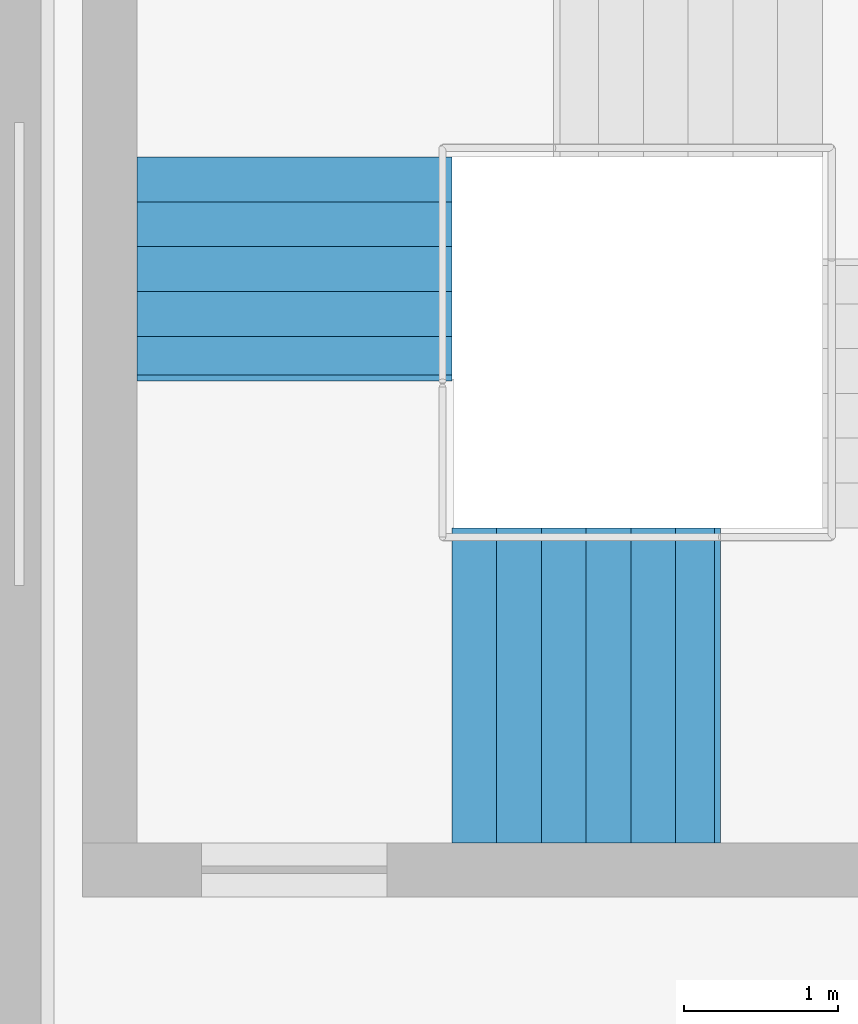
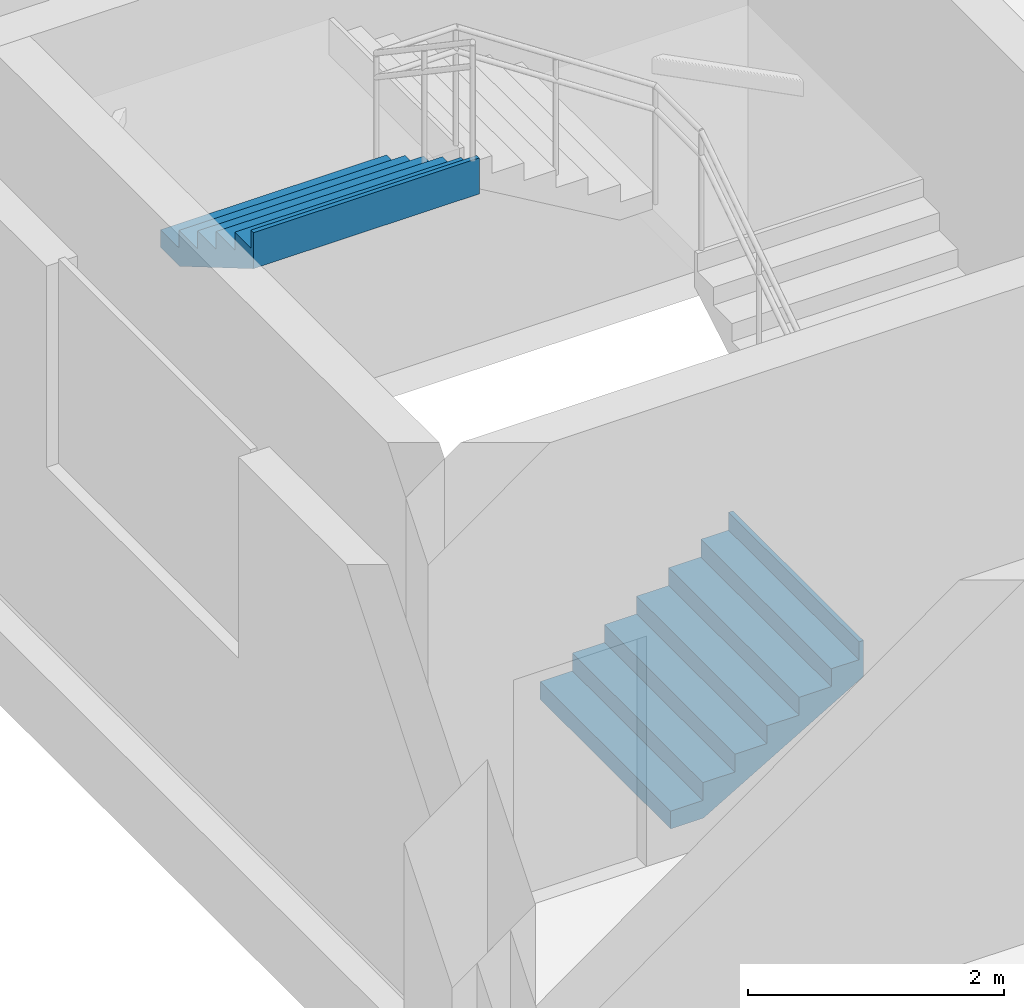
# One storey, part 39 of 49: 2 stair flights, 1 element without a shape of its own.
"""IFC4 building model written with IfcOpenShell, lengths in metres."""

from ifc_helpers import new_model, si_unit, direction, frame, origin, place, context, subcontext, project, spatial, triangles, material, type_object, element, aggregate, save


model = new_model("IFC4")

# Units and contexts
model_context = context("Model", 3, precision=1e-05, world=origin(), true_north=direction((0.0, 1.0)))
body_context = subcontext(model_context, "Body", "Model", "MODEL_VIEW")
ifc_project = project(units=[si_unit("LENGTHUNIT", "METRE"), si_unit("AREAUNIT", "SQUARE_METRE"), si_unit("VOLUMEUNIT", "CUBIC_METRE"), si_unit("PLANEANGLEUNIT", "RADIAN"), si_unit("MASSUNIT", "GRAM", prefix="KILO")], contexts=[model_context])

# Site, building, storey
site_placement = place(None, origin())
site = spatial("IfcSite", under=ifc_project, at=site_placement, CompositionType="ELEMENT")
building_placement = place(site_placement, origin())
building = spatial("IfcBuilding", under=site, at=building_placement, Name="Sillaruma Civic Art Gallery", CompositionType="ELEMENT")
storey_placement = place(building_placement, frame((0.0, 0.0, 33.14990234375)))
storey = spatial("IfcBuildingStorey", under=building, at=storey_placement, Name="L06", CompositionType="ELEMENT", Elevation=33.14990234375)

# Stair, stair flights
ifc_material = material(Name="Concrete H35 (35 MPa)", Category="concrete")
stair_type = type_object("IfcStairType", Name="STR-4F-27", PredefinedType="USERDEFINED", material=ifc_material)
stair_placement = place(storey_placement, origin())
stair = element("IfcStair", 1, at=stair_placement, inside=storey, type_object=stair_type, Name="Protected Exit Stair ST-03 (West Bar South) (L06)", ObjectType="THREE_RETURN_STAIR", PredefinedType="USERDEFINED")
stair_flight_type_1 = type_object("IfcStairFlightType", Name="SFL-STR-6", PredefinedType="STRAIGHT", material=ifc_material)
stair_flight_1_placement = place(storey_placement, frame((63.780029296875, 35.85009765625, 3.570068359375), z_axis=(0.0, 0.0, 1.0), x_axis=(0.0, -1.0, 0.0)))
stair_flight_1 = element("IfcStairFlight", 2, at=stair_flight_1_placement, type_object=stair_flight_type_1, Name="ST-03 flight 4", NumberOfRisers=6, NumberOfTreads=5, PredefinedType="STRAIGHT", RiserHeight=0.17, TreadLength=0.29, context=body_context, shape_type="Tessellation", body=[
    triangles([(0.0, -1.02001953125, 0.0), (0.29, -1.02001953125, 0.0), (0.296365, -1.02001953125, 0.0), (0.58, -1.02001953125, 0.166269), (0.87, -1.02001953125, 0.336269), (1.16, -1.02001953125, 0.506269), (1.409951, -1.02001953125, 0.652792), (1.449951, -1.02001953125, 0.67624), (1.449951, -1.02001953125, 1.02), (1.409951, -1.02001953125, 1.02), (1.409951, -1.02001953125, 0.85), (1.16, -1.02001953125, 0.85), (1.16, -1.02001953125, 0.68), (0.87, -1.02001953125, 0.68), (0.87, -1.02001953125, 0.51), (0.58, -1.02001953125, 0.51), (0.58, -1.02001953125, 0.34), (0.296365, -1.02001953125, 0.34), (0.29, -1.02001953125, 0.34), (0.29, -1.02001953125, 0.17), (0.0, -1.02001953125, 0.17), (0.0, -0.05, 0.0), (0.29, -0.05, 0.0), (0.296365, -0.05, 0.0), (0.58, -0.05, 0.166269), (0.87, -0.05, 0.336269), (1.16, -0.05, 0.506269), (1.409951, -0.05, 0.652792), (1.449951, -0.05, 0.67624), (1.449951, -0.05, 1.02), (1.409951, -0.05, 1.02), (1.409951, -0.05, 0.85), (1.16, -0.05, 0.85), (1.16, -0.05, 0.68), (0.87, -0.05, 0.68), (0.87, -0.05, 0.51), (0.58, -0.05, 0.51), (0.58, -0.05, 0.34), (0.296365, -0.05, 0.34), (0.29, -0.05, 0.34), (0.29, -0.05, 0.17), (0.0, -0.05, 0.17), (0.0, -0.0375, 0.0), (0.29, -0.0375, 0.0), (0.296365, -0.0375, 0.0), (0.58, -0.0375, 0.166269), (0.87, -0.0375, 0.336269), (1.16, -0.0375, 0.506269), (1.409951, -0.0375, 0.652792), (1.449951, -0.0375, 0.67624), (1.449951, -0.0375, 1.02), (1.409951, -0.0375, 1.02), (1.409951, -0.0375, 0.85), (1.16, -0.0375, 0.85), (1.16, -0.0375, 0.68), (0.87, -0.0375, 0.68), (0.87, -0.0375, 0.51), (0.58, -0.0375, 0.51), (0.58, -0.0375, 0.34), (0.296365, -0.0375, 0.34), (0.29, -0.0375, 0.34), (0.29, -0.0375, 0.17), (0.0, -0.0375, 0.17), (0.0, -0.025, 0.0), (0.29, -0.025, 0.0), (0.296365, -0.025, 0.0), (0.58, -0.025, 0.166269), (0.87, -0.025, 0.336269), (1.16, -0.025, 0.506269), (1.409951, -0.025, 0.652792), (1.449951, -0.025, 0.67624), (1.449951, -0.025, 1.02), (1.409951, -0.025, 1.02), (1.409951, -0.025, 0.85), (1.16, -0.025, 0.85), (1.16, -0.025, 0.68), (0.87, -0.025, 0.68), (0.87, -0.025, 0.51), (0.58, -0.025, 0.51), (0.58, -0.025, 0.34), (0.296365, -0.025, 0.34), (0.29, -0.025, 0.34), (0.29, -0.025, 0.17), (0.0, -0.025, 0.17), (0.0, -0.0125, 0.0), (0.29, -0.0125, 0.0), (0.296365, -0.0125, 0.0), (0.58, -0.0125, 0.166269), (0.87, -0.0125, 0.336269), (1.16, -0.0125, 0.506269), (1.409951, -0.0125, 0.652792), (1.449951, -0.0125, 0.67624), (1.449951, -0.0125, 1.02), (1.409951, -0.0125, 1.02), (1.409951, -0.0125, 0.85), (1.16, -0.0125, 0.85), (1.16, -0.0125, 0.68), (0.87, -0.0125, 0.68), (0.87, -0.0125, 0.51), (0.58, -0.0125, 0.51), (0.58, -0.0125, 0.34), (0.296365, -0.0125, 0.34), (0.29, -0.0125, 0.34), (0.29, -0.0125, 0.17), (0.0, -0.0125, 0.17), (0.0, 0.0, 0.0), (0.29, 0.0, 0.0), (0.296365, 0.0, 0.0), (0.58, 0.0, 0.166269), (0.87, 0.0, 0.336269), (1.16, 0.0, 0.506269), (1.409951, 0.0, 0.652792), (1.449951, 0.0, 0.67624), (1.449951, 0.0, 1.02), (1.409951, 0.0, 1.02), (1.409951, 0.0, 0.85), (1.16, 0.0, 0.85), (1.16, 0.0, 0.68), (0.87, 0.0, 0.68), (0.87, 0.0, 0.51), (0.58, 0.0, 0.51), (0.58, 0.0, 0.34), (0.296365, 0.0, 0.34), (0.29, 0.0, 0.34), (0.29, 0.0, 0.17), (0.0, 0.0, 0.17), (0.0, 0.0125, 0.0), (0.29, 0.0125, 0.0), (0.296365, 0.0125, 0.0), (0.58, 0.0125, 0.166269), (0.87, 0.0125, 0.336269), (1.16, 0.0125, 0.506269), (1.409951, 0.0125, 0.652792), (1.449951, 0.0125, 0.67624), (1.449951, 0.0125, 1.02), (1.409951, 0.0125, 1.02), (1.409951, 0.0125, 0.85), (1.16, 0.0125, 0.85), (1.16, 0.0125, 0.68), (0.87, 0.0125, 0.68), (0.87, 0.0125, 0.51), (0.58, 0.0125, 0.51), (0.58, 0.0125, 0.34), (0.296365, 0.0125, 0.34), (0.29, 0.0125, 0.34), (0.29, 0.0125, 0.17), (0.0, 0.0125, 0.17), (0.0, 0.025, 0.0), (0.29, 0.025, 0.0), (0.296365, 0.025, 0.0), (0.58, 0.025, 0.166269), (0.87, 0.025, 0.336269), (1.16, 0.025, 0.506269), (1.409951, 0.025, 0.652792), (1.449951, 0.025, 0.67624), (1.449951, 0.025, 1.02), (1.409951, 0.025, 1.02), (1.409951, 0.025, 0.85), (1.16, 0.025, 0.85), (1.16, 0.025, 0.68), (0.87, 0.025, 0.68), (0.87, 0.025, 0.51), (0.58, 0.025, 0.51), (0.58, 0.025, 0.34), (0.296365, 0.025, 0.34), (0.29, 0.025, 0.34), (0.29, 0.025, 0.17), (0.0, 0.025, 0.17), (0.0, 0.0375, 0.0), (0.29, 0.0375, 0.0), (0.296365, 0.0375, 0.0), (0.58, 0.0375, 0.166269), (0.87, 0.0375, 0.336269), (1.16, 0.0375, 0.506269), (1.409951, 0.0375, 0.652792), (1.449951, 0.0375, 0.67624), (1.449951, 0.0375, 1.02), (1.409951, 0.0375, 1.02), (1.409951, 0.0375, 0.85), (1.16, 0.0375, 0.85), (1.16, 0.0375, 0.68), (0.87, 0.0375, 0.68), (0.87, 0.0375, 0.51), (0.58, 0.0375, 0.51), (0.58, 0.0375, 0.34), (0.296365, 0.0375, 0.34), (0.29, 0.0375, 0.34), (0.29, 0.0375, 0.17), (0.0, 0.0375, 0.17), (0.0, 0.05, 0.0), (0.29, 0.05, 0.0), (0.296365, 0.05, 0.0), (0.58, 0.05, 0.166269), (0.87, 0.05, 0.336269), (1.16, 0.05, 0.506269), (1.409951, 0.05, 0.652792), (1.449951, 0.05, 0.67624), (1.449951, 0.05, 1.02), (1.409951, 0.05, 1.02), (1.409951, 0.05, 0.85), (1.16, 0.05, 0.85), (1.16, 0.05, 0.68), (0.87, 0.05, 0.68), (0.87, 0.05, 0.51), (0.58, 0.05, 0.51), (0.58, 0.05, 0.34), (0.296365, 0.05, 0.34), (0.29, 0.05, 0.34), (0.29, 0.05, 0.17), (0.0, 0.05, 0.17), (0.0, 1.02001953125, 0.0), (0.29, 1.02001953125, 0.0), (0.296365, 1.02001953125, 0.0), (0.58, 1.02001953125, 0.166269), (0.87, 1.02001953125, 0.336269), (1.16, 1.02001953125, 0.506269), (1.409951, 1.02001953125, 0.652792), (1.449951, 1.02001953125, 0.67624), (1.449951, 1.02001953125, 1.02), (1.409951, 1.02001953125, 1.02), (1.409951, 1.02001953125, 0.85), (1.16, 1.02001953125, 0.85), (1.16, 1.02001953125, 0.68), (0.87, 1.02001953125, 0.68), (0.87, 1.02001953125, 0.51), (0.58, 1.02001953125, 0.51), (0.58, 1.02001953125, 0.34), (0.296365, 1.02001953125, 0.34), (0.29, 1.02001953125, 0.34), (0.29, 1.02001953125, 0.17), (0.0, 1.02001953125, 0.17)], [[1, 2, 20], [1, 20, 21], [2, 3, 18], [2, 18, 20], [20, 18, 19], [3, 4, 17], [3, 17, 18], [4, 5, 15], [4, 15, 17], [17, 15, 16], [5, 6, 13], [5, 13, 15], [15, 13, 14], [6, 7, 11], [6, 11, 13], [13, 11, 12], [7, 8, 9], [7, 9, 11], [11, 9, 10], [230, 212, 211], [231, 230, 211], [228, 213, 212], [230, 228, 212], [229, 228, 230], [227, 214, 213], [228, 227, 213], [225, 215, 214], [227, 225, 214], [226, 225, 227], [223, 216, 215], [225, 223, 215], [224, 223, 225], [221, 217, 216], [223, 221, 216], [222, 221, 223], [219, 218, 217], [221, 219, 217], [220, 219, 221], [2, 1, 22], [2, 22, 23], [3, 2, 23], [3, 23, 24], [4, 3, 24], [4, 24, 25], [5, 4, 25], [5, 25, 26], [6, 5, 26], [6, 26, 27], [7, 6, 27], [7, 27, 28], [8, 7, 28], [8, 28, 29], [9, 8, 29], [9, 29, 30], [10, 9, 30], [10, 30, 31], [11, 10, 31], [11, 31, 32], [12, 11, 32], [12, 32, 33], [13, 12, 33], [13, 33, 34], [14, 13, 34], [14, 34, 35], [15, 14, 35], [15, 35, 36], [16, 15, 36], [16, 36, 37], [17, 16, 37], [17, 37, 38], [18, 17, 38], [18, 38, 39], [19, 18, 39], [19, 39, 40], [20, 19, 40], [20, 40, 41], [21, 20, 41], [21, 41, 42], [1, 21, 42], [1, 42, 22], [23, 22, 43], [23, 43, 44], [24, 23, 44], [24, 44, 45], [25, 24, 45], [25, 45, 46], [26, 25, 46], [26, 46, 47], [27, 26, 47], [27, 47, 48], [28, 27, 48], [28, 48, 49], [29, 28, 49], [29, 49, 50], [30, 29, 50], [30, 50, 51], [31, 30, 51], [31, 51, 52], [32, 31, 52], [32, 52, 53], [33, 32, 53], [33, 53, 54], [34, 33, 54], [34, 54, 55], [35, 34, 55], [35, 55, 56], [36, 35, 56], [36, 56, 57], [37, 36, 57], [37, 57, 58], [38, 37, 58], [38, 58, 59], [39, 38, 59], [39, 59, 60], [40, 39, 60], [40, 60, 61], [41, 40, 61], [41, 61, 62], [42, 41, 62], [42, 62, 63], [22, 42, 63], [22, 63, 43], [44, 43, 64], [44, 64, 65], [45, 44, 65], [45, 65, 66], [46, 45, 66], [46, 66, 67], [47, 46, 67], [47, 67, 68], [48, 47, 68], [48, 68, 69], [49, 48, 69], [49, 69, 70], [50, 49, 70], [50, 70, 71], [51, 50, 71], [51, 71, 72], [52, 51, 72], [52, 72, 73], [53, 52, 73], [53, 73, 74], [54, 53, 74], [54, 74, 75], [55, 54, 75], [55, 75, 76], [56, 55, 76], [56, 76, 77], [57, 56, 77], [57, 77, 78], [58, 57, 78], [58, 78, 79], [59, 58, 79], [59, 79, 80], [60, 59, 80], [60, 80, 81], [61, 60, 81], [61, 81, 82], [62, 61, 82], [62, 82, 83], [63, 62, 83], [63, 83, 84], [43, 63, 84], [43, 84, 64], [65, 64, 85], [65, 85, 86], [66, 65, 86], [66, 86, 87], [67, 66, 87], [67, 87, 88], [68, 67, 88], [68, 88, 89], [69, 68, 89], [69, 89, 90], [70, 69, 90], [70, 90, 91], [71, 70, 91], [71, 91, 92], [72, 71, 92], [72, 92, 93], [73, 72, 93], [73, 93, 94], [74, 73, 94], [74, 94, 95], [75, 74, 95], [75, 95, 96], [76, 75, 96], [76, 96, 97], [77, 76, 97], [77, 97, 98], [78, 77, 98], [78, 98, 99], [79, 78, 99], [79, 99, 100], [80, 79, 100], [80, 100, 101], [81, 80, 101], [81, 101, 102], [82, 81, 102], [82, 102, 103], [83, 82, 103], [83, 103, 104], [84, 83, 104], [84, 104, 105], [64, 84, 105], [64, 105, 85], [86, 85, 106], [86, 106, 107], [87, 86, 107], [87, 107, 108], [88, 87, 108], [88, 108, 109], [89, 88, 109], [89, 109, 110], [90, 89, 110], [90, 110, 111], [91, 90, 111], [91, 111, 112], [92, 91, 112], [92, 112, 113], [93, 92, 113], [93, 113, 114], [94, 93, 114], [94, 114, 115], [95, 94, 115], [95, 115, 116], [96, 95, 116], [96, 116, 117], [97, 96, 117], [97, 117, 118], [98, 97, 118], [98, 118, 119], [99, 98, 119], [99, 119, 120], [100, 99, 120], [100, 120, 121], [101, 100, 121], [101, 121, 122], [102, 101, 122], [102, 122, 123], [103, 102, 123], [103, 123, 124], [104, 103, 124], [104, 124, 125], [105, 104, 125], [105, 125, 126], [85, 105, 126], [85, 126, 106], [107, 106, 127], [107, 127, 128], [108, 107, 128], [108, 128, 129], [109, 108, 129], [109, 129, 130], [110, 109, 130], [110, 130, 131], [111, 110, 131], [111, 131, 132], [112, 111, 132], [112, 132, 133], [113, 112, 133], [113, 133, 134], [114, 113, 134], [114, 134, 135], [115, 114, 135], [115, 135, 136], [116, 115, 136], [116, 136, 137], [117, 116, 137], [117, 137, 138], [118, 117, 138], [118, 138, 139], [119, 118, 139], [119, 139, 140], [120, 119, 140], [120, 140, 141], [121, 120, 141], [121, 141, 142], [122, 121, 142], [122, 142, 143], [123, 122, 143], [123, 143, 144], [124, 123, 144], [124, 144, 145], [125, 124, 145], [125, 145, 146], [126, 125, 146], [126, 146, 147], [106, 126, 147], [106, 147, 127], [128, 127, 148], [128, 148, 149], [129, 128, 149], [129, 149, 150], [130, 129, 150], [130, 150, 151], [131, 130, 151], [131, 151, 152], [132, 131, 152], [132, 152, 153], [133, 132, 153], [133, 153, 154], [134, 133, 154], [134, 154, 155], [135, 134, 155], [135, 155, 156], [136, 135, 156], [136, 156, 157], [137, 136, 157], [137, 157, 158], [138, 137, 158], [138, 158, 159], [139, 138, 159], [139, 159, 160], [140, 139, 160], [140, 160, 161], [141, 140, 161], [141, 161, 162], [142, 141, 162], [142, 162, 163], [143, 142, 163], [143, 163, 164], [144, 143, 164], [144, 164, 165], [145, 144, 165], [145, 165, 166], [146, 145, 166], [146, 166, 167], [147, 146, 167], [147, 167, 168], [127, 147, 168], [127, 168, 148], [149, 148, 169], [149, 169, 170], [150, 149, 170], [150, 170, 171], [151, 150, 171], [151, 171, 172], [152, 151, 172], [152, 172, 173], [153, 152, 173], [153, 173, 174], [154, 153, 174], [154, 174, 175], [155, 154, 175], [155, 175, 176], [156, 155, 176], [156, 176, 177], [157, 156, 177], [157, 177, 178], [158, 157, 178], [158, 178, 179], [159, 158, 179], [159, 179, 180], [160, 159, 180], [160, 180, 181], [161, 160, 181], [161, 181, 182], [162, 161, 182], [162, 182, 183], [163, 162, 183], [163, 183, 184], [164, 163, 184], [164, 184, 185], [165, 164, 185], [165, 185, 186], [166, 165, 186], [166, 186, 187], [167, 166, 187], [167, 187, 188], [168, 167, 188], [168, 188, 189], [148, 168, 189], [148, 189, 169], [170, 169, 190], [170, 190, 191], [171, 170, 191], [171, 191, 192], [172, 171, 192], [172, 192, 193], [173, 172, 193], [173, 193, 194], [174, 173, 194], [174, 194, 195], [175, 174, 195], [175, 195, 196], [176, 175, 196], [176, 196, 197], [177, 176, 197], [177, 197, 198], [178, 177, 198], [178, 198, 199], [179, 178, 199], [179, 199, 200], [180, 179, 200], [180, 200, 201], [181, 180, 201], [181, 201, 202], [182, 181, 202], [182, 202, 203], [183, 182, 203], [183, 203, 204], [184, 183, 204], [184, 204, 205], [185, 184, 205], [185, 205, 206], [186, 185, 206], [186, 206, 207], [187, 186, 207], [187, 207, 208], [188, 187, 208], [188, 208, 209], [189, 188, 209], [189, 209, 210], [169, 189, 210], [169, 210, 190], [191, 190, 211], [191, 211, 212], [192, 191, 212], [192, 212, 213], [193, 192, 213], [193, 213, 214], [194, 193, 214], [194, 214, 215], [195, 194, 215], [195, 215, 216], [196, 195, 216], [196, 216, 217], [197, 196, 217], [197, 217, 218], [198, 197, 218], [198, 218, 219], [199, 198, 219], [199, 219, 220], [200, 199, 220], [200, 220, 221], [201, 200, 221], [201, 221, 222], [202, 201, 222], [202, 222, 223], [203, 202, 223], [203, 223, 224], [204, 203, 224], [204, 224, 225], [205, 204, 225], [205, 225, 226], [206, 205, 226], [206, 226, 227], [207, 206, 227], [207, 227, 228], [208, 207, 228], [208, 228, 229], [209, 208, 229], [209, 229, 230], [210, 209, 230], [210, 230, 231], [190, 210, 231], [190, 231, 211]], closed=True),
])
stair_flight_type_2 = type_object("IfcStairFlightType", Name="SFL-STR-7", PredefinedType="STRAIGHT", material=ifc_material)
stair_flight_2_placement = place(storey_placement, frame((64.800048828125, 32.429931640625, 0.0), z_axis=(0.0, 0.0, 1.0), x_axis=(1.0, 0.0, 0.0)))
stair_flight_2 = element("IfcStairFlight", 3, at=stair_flight_2_placement, type_object=stair_flight_type_2, Name="ST-03 flight 1", NumberOfRisers=7, NumberOfTreads=6, PredefinedType="STRAIGHT", RiserHeight=0.17, TreadLength=0.29, context=body_context, shape_type="Tessellation", body=[
    triangles([(0.0, -1.02001953125, 0.0), (0.29, -1.02001953125, 0.0), (0.296404, -1.02001953125, 0.0), (0.58, -1.02001953125, 0.166246), (0.87, -1.02001953125, 0.336246), (1.16, -1.02001953125, 0.506246), (1.45, -1.02001953125, 0.676246), (1.69999, -1.02001953125, 0.822792), (1.73999, -1.02001953125, 0.84624), (1.73999, -1.02001953125, 1.19), (1.69999, -1.02001953125, 1.19), (1.69999, -1.02001953125, 1.02), (1.45, -1.02001953125, 1.02), (1.45, -1.02001953125, 0.85), (1.16, -1.02001953125, 0.85), (1.16, -1.02001953125, 0.68), (0.87, -1.02001953125, 0.68), (0.87, -1.02001953125, 0.51), (0.58, -1.02001953125, 0.51), (0.58, -1.02001953125, 0.34), (0.296404, -1.02001953125, 0.34), (0.29, -1.02001953125, 0.34), (0.29, -1.02001953125, 0.17), (0.0, -1.02001953125, 0.17), (0.0, -0.05, 0.0), (0.29, -0.05, 0.0), (0.296404, -0.05, 0.0), (0.58, -0.05, 0.166246), (0.87, -0.05, 0.336246), (1.16, -0.05, 0.506246), (1.45, -0.05, 0.676246), (1.69999, -0.05, 0.822792), (1.73999, -0.05, 0.84624), (1.73999, -0.05, 1.19), (1.69999, -0.05, 1.19), (1.69999, -0.05, 1.02), (1.45, -0.05, 1.02), (1.45, -0.05, 0.85), (1.16, -0.05, 0.85), (1.16, -0.05, 0.68), (0.87, -0.05, 0.68), (0.87, -0.05, 0.51), (0.58, -0.05, 0.51), (0.58, -0.05, 0.34), (0.296404, -0.05, 0.34), (0.29, -0.05, 0.34), (0.29, -0.05, 0.17), (0.0, -0.05, 0.17), (0.0, -0.0375, 0.0), (0.29, -0.0375, 0.0), (0.296404, -0.0375, 0.0), (0.58, -0.0375, 0.166246), (0.87, -0.0375, 0.336246), (1.16, -0.0375, 0.506246), (1.45, -0.0375, 0.676246), (1.69999, -0.0375, 0.822792), (1.73999, -0.0375, 0.84624), (1.73999, -0.0375, 1.19), (1.69999, -0.0375, 1.19), (1.69999, -0.0375, 1.02), (1.45, -0.0375, 1.02), (1.45, -0.0375, 0.85), (1.16, -0.0375, 0.85), (1.16, -0.0375, 0.68), (0.87, -0.0375, 0.68), (0.87, -0.0375, 0.51), (0.58, -0.0375, 0.51), (0.58, -0.0375, 0.34), (0.296404, -0.0375, 0.34), (0.29, -0.0375, 0.34), (0.29, -0.0375, 0.17), (0.0, -0.0375, 0.17), (0.0, -0.025, 0.0), (0.29, -0.025, 0.0), (0.296404, -0.025, 0.0), (0.58, -0.025, 0.166246), (0.87, -0.025, 0.336246), (1.16, -0.025, 0.506246), (1.45, -0.025, 0.676246), (1.69999, -0.025, 0.822792), (1.73999, -0.025, 0.84624), (1.73999, -0.025, 1.19), (1.69999, -0.025, 1.19), (1.69999, -0.025, 1.02), (1.45, -0.025, 1.02), (1.45, -0.025, 0.85), (1.16, -0.025, 0.85), (1.16, -0.025, 0.68), (0.87, -0.025, 0.68), (0.87, -0.025, 0.51), (0.58, -0.025, 0.51), (0.58, -0.025, 0.34), (0.296404, -0.025, 0.34), (0.29, -0.025, 0.34), (0.29, -0.025, 0.17), (0.0, -0.025, 0.17), (0.0, -0.0125, 0.0), (0.29, -0.0125, 0.0), (0.296404, -0.0125, 0.0), (0.58, -0.0125, 0.166246), (0.87, -0.0125, 0.336246), (1.16, -0.0125, 0.506246), (1.45, -0.0125, 0.676246), (1.69999, -0.0125, 0.822792), (1.73999, -0.0125, 0.84624), (1.73999, -0.0125, 1.19), (1.69999, -0.0125, 1.19), (1.69999, -0.0125, 1.02), (1.45, -0.0125, 1.02), (1.45, -0.0125, 0.85), (1.16, -0.0125, 0.85), (1.16, -0.0125, 0.68), (0.87, -0.0125, 0.68), (0.87, -0.0125, 0.51), (0.58, -0.0125, 0.51), (0.58, -0.0125, 0.34), (0.296404, -0.0125, 0.34), (0.29, -0.0125, 0.34), (0.29, -0.0125, 0.17), (0.0, -0.0125, 0.17), (0.0, 0.0, 0.0), (0.29, 0.0, 0.0), (0.296404, 0.0, 0.0), (0.58, 0.0, 0.166246), (0.87, 0.0, 0.336246), (1.16, 0.0, 0.506246), (1.45, 0.0, 0.676246), (1.69999, 0.0, 0.822792), (1.73999, 0.0, 0.84624), (1.73999, 0.0, 1.19), (1.69999, 0.0, 1.19), (1.69999, 0.0, 1.02), (1.45, 0.0, 1.02), (1.45, 0.0, 0.85), (1.16, 0.0, 0.85), (1.16, 0.0, 0.68), (0.87, 0.0, 0.68), (0.87, 0.0, 0.51), (0.58, 0.0, 0.51), (0.58, 0.0, 0.34), (0.296404, 0.0, 0.34), (0.29, 0.0, 0.34), (0.29, 0.0, 0.17), (0.0, 0.0, 0.17), (0.0, 0.0125, 0.0), (0.29, 0.0125, 0.0), (0.296404, 0.0125, 0.0), (0.58, 0.0125, 0.166246), (0.87, 0.0125, 0.336246), (1.16, 0.0125, 0.506246), (1.45, 0.0125, 0.676246), (1.69999, 0.0125, 0.822792), (1.73999, 0.0125, 0.84624), (1.73999, 0.0125, 1.19), (1.69999, 0.0125, 1.19), (1.69999, 0.0125, 1.02), (1.45, 0.0125, 1.02), (1.45, 0.0125, 0.85), (1.16, 0.0125, 0.85), (1.16, 0.0125, 0.68), (0.87, 0.0125, 0.68), (0.87, 0.0125, 0.51), (0.58, 0.0125, 0.51), (0.58, 0.0125, 0.34), (0.296404, 0.0125, 0.34), (0.29, 0.0125, 0.34), (0.29, 0.0125, 0.17), (0.0, 0.0125, 0.17), (0.0, 0.025, 0.0), (0.29, 0.025, 0.0), (0.296404, 0.025, 0.0), (0.58, 0.025, 0.166246), (0.87, 0.025, 0.336246), (1.16, 0.025, 0.506246), (1.45, 0.025, 0.676246), (1.69999, 0.025, 0.822792), (1.73999, 0.025, 0.84624), (1.73999, 0.025, 1.19), (1.69999, 0.025, 1.19), (1.69999, 0.025, 1.02), (1.45, 0.025, 1.02), (1.45, 0.025, 0.85), (1.16, 0.025, 0.85), (1.16, 0.025, 0.68), (0.87, 0.025, 0.68), (0.87, 0.025, 0.51), (0.58, 0.025, 0.51), (0.58, 0.025, 0.34), (0.296404, 0.025, 0.34), (0.29, 0.025, 0.34), (0.29, 0.025, 0.17), (0.0, 0.025, 0.17), (0.0, 0.0375, 0.0), (0.29, 0.0375, 0.0), (0.296404, 0.0375, 0.0), (0.58, 0.0375, 0.166246), (0.87, 0.0375, 0.336246), (1.16, 0.0375, 0.506246), (1.45, 0.0375, 0.676246), (1.69999, 0.0375, 0.822792), (1.73999, 0.0375, 0.84624), (1.73999, 0.0375, 1.19), (1.69999, 0.0375, 1.19), (1.69999, 0.0375, 1.02), (1.45, 0.0375, 1.02), (1.45, 0.0375, 0.85), (1.16, 0.0375, 0.85), (1.16, 0.0375, 0.68), (0.87, 0.0375, 0.68), (0.87, 0.0375, 0.51), (0.58, 0.0375, 0.51), (0.58, 0.0375, 0.34), (0.296404, 0.0375, 0.34), (0.29, 0.0375, 0.34), (0.29, 0.0375, 0.17), (0.0, 0.0375, 0.17), (0.0, 0.05, 0.0), (0.29, 0.05, 0.0), (0.296404, 0.05, 0.0), (0.58, 0.05, 0.166246), (0.87, 0.05, 0.336246), (1.16, 0.05, 0.506246), (1.45, 0.05, 0.676246), (1.69999, 0.05, 0.822792), (1.73999, 0.05, 0.84624), (1.73999, 0.05, 1.19), (1.69999, 0.05, 1.19), (1.69999, 0.05, 1.02), (1.45, 0.05, 1.02), (1.45, 0.05, 0.85), (1.16, 0.05, 0.85), (1.16, 0.05, 0.68), (0.87, 0.05, 0.68), (0.87, 0.05, 0.51), (0.58, 0.05, 0.51), (0.58, 0.05, 0.34), (0.296404, 0.05, 0.34), (0.29, 0.05, 0.34), (0.29, 0.05, 0.17), (0.0, 0.05, 0.17), (0.0, 1.02001953125, 0.0), (0.29, 1.02001953125, 0.0), (0.296404, 1.02001953125, 0.0), (0.58, 1.02001953125, 0.166246), (0.87, 1.02001953125, 0.336246), (1.16, 1.02001953125, 0.506246), (1.45, 1.02001953125, 0.676246), (1.69999, 1.02001953125, 0.822792), (1.73999, 1.02001953125, 0.84624), (1.73999, 1.02001953125, 1.19), (1.69999, 1.02001953125, 1.19), (1.69999, 1.02001953125, 1.02), (1.45, 1.02001953125, 1.02), (1.45, 1.02001953125, 0.85), (1.16, 1.02001953125, 0.85), (1.16, 1.02001953125, 0.68), (0.87, 1.02001953125, 0.68), (0.87, 1.02001953125, 0.51), (0.58, 1.02001953125, 0.51), (0.58, 1.02001953125, 0.34), (0.296404, 1.02001953125, 0.34), (0.29, 1.02001953125, 0.34), (0.29, 1.02001953125, 0.17), (0.0, 1.02001953125, 0.17)], [[1, 2, 23], [1, 23, 24], [2, 3, 21], [2, 21, 23], [23, 21, 22], [3, 4, 20], [3, 20, 21], [4, 5, 18], [4, 18, 20], [20, 18, 19], [5, 6, 16], [5, 16, 18], [18, 16, 17], [6, 7, 14], [6, 14, 16], [16, 14, 15], [7, 8, 12], [7, 12, 14], [14, 12, 13], [8, 9, 10], [8, 10, 12], [12, 10, 11], [263, 242, 241], [264, 263, 241], [261, 243, 242], [263, 261, 242], [262, 261, 263], [260, 244, 243], [261, 260, 243], [258, 245, 244], [260, 258, 244], [259, 258, 260], [256, 246, 245], [258, 256, 245], [257, 256, 258], [254, 247, 246], [256, 254, 246], [255, 254, 256], [252, 248, 247], [254, 252, 247], [253, 252, 254], [250, 249, 248], [252, 250, 248], [251, 250, 252], [2, 1, 25], [2, 25, 26], [3, 2, 26], [3, 26, 27], [4, 3, 27], [4, 27, 28], [5, 4, 28], [5, 28, 29], [6, 5, 29], [6, 29, 30], [7, 6, 30], [7, 30, 31], [8, 7, 31], [8, 31, 32], [9, 8, 32], [9, 32, 33], [10, 9, 33], [10, 33, 34], [11, 10, 34], [11, 34, 35], [12, 11, 35], [12, 35, 36], [13, 12, 36], [13, 36, 37], [14, 13, 37], [14, 37, 38], [15, 14, 38], [15, 38, 39], [16, 15, 39], [16, 39, 40], [17, 16, 40], [17, 40, 41], [18, 17, 41], [18, 41, 42], [19, 18, 42], [19, 42, 43], [20, 19, 43], [20, 43, 44], [21, 20, 44], [21, 44, 45], [22, 21, 45], [22, 45, 46], [23, 22, 46], [23, 46, 47], [24, 23, 47], [24, 47, 48], [1, 24, 48], [1, 48, 25], [26, 25, 49], [26, 49, 50], [27, 26, 50], [27, 50, 51], [28, 27, 51], [28, 51, 52], [29, 28, 52], [29, 52, 53], [30, 29, 53], [30, 53, 54], [31, 30, 54], [31, 54, 55], [32, 31, 55], [32, 55, 56], [33, 32, 56], [33, 56, 57], [34, 33, 57], [34, 57, 58], [35, 34, 58], [35, 58, 59], [36, 35, 59], [36, 59, 60], [37, 36, 60], [37, 60, 61], [38, 37, 61], [38, 61, 62], [39, 38, 62], [39, 62, 63], [40, 39, 63], [40, 63, 64], [41, 40, 64], [41, 64, 65], [42, 41, 65], [42, 65, 66], [43, 42, 66], [43, 66, 67], [44, 43, 67], [44, 67, 68], [45, 44, 68], [45, 68, 69], [46, 45, 69], [46, 69, 70], [47, 46, 70], [47, 70, 71], [48, 47, 71], [48, 71, 72], [25, 48, 72], [25, 72, 49], [50, 49, 73], [50, 73, 74], [51, 50, 74], [51, 74, 75], [52, 51, 75], [52, 75, 76], [53, 52, 76], [53, 76, 77], [54, 53, 77], [54, 77, 78], [55, 54, 78], [55, 78, 79], [56, 55, 79], [56, 79, 80], [57, 56, 80], [57, 80, 81], [58, 57, 81], [58, 81, 82], [59, 58, 82], [59, 82, 83], [60, 59, 83], [60, 83, 84], [61, 60, 84], [61, 84, 85], [62, 61, 85], [62, 85, 86], [63, 62, 86], [63, 86, 87], [64, 63, 87], [64, 87, 88], [65, 64, 88], [65, 88, 89], [66, 65, 89], [66, 89, 90], [67, 66, 90], [67, 90, 91], [68, 67, 91], [68, 91, 92], [69, 68, 92], [69, 92, 93], [70, 69, 93], [70, 93, 94], [71, 70, 94], [71, 94, 95], [72, 71, 95], [72, 95, 96], [49, 72, 96], [49, 96, 73], [74, 73, 97], [74, 97, 98], [75, 74, 98], [75, 98, 99], [76, 75, 99], [76, 99, 100], [77, 76, 100], [77, 100, 101], [78, 77, 101], [78, 101, 102], [79, 78, 102], [79, 102, 103], [80, 79, 103], [80, 103, 104], [81, 80, 104], [81, 104, 105], [82, 81, 105], [82, 105, 106], [83, 82, 106], [83, 106, 107], [84, 83, 107], [84, 107, 108], [85, 84, 108], [85, 108, 109], [86, 85, 109], [86, 109, 110], [87, 86, 110], [87, 110, 111], [88, 87, 111], [88, 111, 112], [89, 88, 112], [89, 112, 113], [90, 89, 113], [90, 113, 114], [91, 90, 114], [91, 114, 115], [92, 91, 115], [92, 115, 116], [93, 92, 116], [93, 116, 117], [94, 93, 117], [94, 117, 118], [95, 94, 118], [95, 118, 119], [96, 95, 119], [96, 119, 120], [73, 96, 120], [73, 120, 97], [98, 97, 121], [98, 121, 122], [99, 98, 122], [99, 122, 123], [100, 99, 123], [100, 123, 124], [101, 100, 124], [101, 124, 125], [102, 101, 125], [102, 125, 126], [103, 102, 126], [103, 126, 127], [104, 103, 127], [104, 127, 128], [105, 104, 128], [105, 128, 129], [106, 105, 129], [106, 129, 130], [107, 106, 130], [107, 130, 131], [108, 107, 131], [108, 131, 132], [109, 108, 132], [109, 132, 133], [110, 109, 133], [110, 133, 134], [111, 110, 134], [111, 134, 135], [112, 111, 135], [112, 135, 136], [113, 112, 136], [113, 136, 137], [114, 113, 137], [114, 137, 138], [115, 114, 138], [115, 138, 139], [116, 115, 139], [116, 139, 140], [117, 116, 140], [117, 140, 141], [118, 117, 141], [118, 141, 142], [119, 118, 142], [119, 142, 143], [120, 119, 143], [120, 143, 144], [97, 120, 144], [97, 144, 121], [122, 121, 145], [122, 145, 146], [123, 122, 146], [123, 146, 147], [124, 123, 147], [124, 147, 148], [125, 124, 148], [125, 148, 149], [126, 125, 149], [126, 149, 150], [127, 126, 150], [127, 150, 151], [128, 127, 151], [128, 151, 152], [129, 128, 152], [129, 152, 153], [130, 129, 153], [130, 153, 154], [131, 130, 154], [131, 154, 155], [132, 131, 155], [132, 155, 156], [133, 132, 156], [133, 156, 157], [134, 133, 157], [134, 157, 158], [135, 134, 158], [135, 158, 159], [136, 135, 159], [136, 159, 160], [137, 136, 160], [137, 160, 161], [138, 137, 161], [138, 161, 162], [139, 138, 162], [139, 162, 163], [140, 139, 163], [140, 163, 164], [141, 140, 164], [141, 164, 165], [142, 141, 165], [142, 165, 166], [143, 142, 166], [143, 166, 167], [144, 143, 167], [144, 167, 168], [121, 144, 168], [121, 168, 145], [146, 145, 169], [146, 169, 170], [147, 146, 170], [147, 170, 171], [148, 147, 171], [148, 171, 172], [149, 148, 172], [149, 172, 173], [150, 149, 173], [150, 173, 174], [151, 150, 174], [151, 174, 175], [152, 151, 175], [152, 175, 176], [153, 152, 176], [153, 176, 177], [154, 153, 177], [154, 177, 178], [155, 154, 178], [155, 178, 179], [156, 155, 179], [156, 179, 180], [157, 156, 180], [157, 180, 181], [158, 157, 181], [158, 181, 182], [159, 158, 182], [159, 182, 183], [160, 159, 183], [160, 183, 184], [161, 160, 184], [161, 184, 185], [162, 161, 185], [162, 185, 186], [163, 162, 186], [163, 186, 187], [164, 163, 187], [164, 187, 188], [165, 164, 188], [165, 188, 189], [166, 165, 189], [166, 189, 190], [167, 166, 190], [167, 190, 191], [168, 167, 191], [168, 191, 192], [145, 168, 192], [145, 192, 169], [170, 169, 193], [170, 193, 194], [171, 170, 194], [171, 194, 195], [172, 171, 195], [172, 195, 196], [173, 172, 196], [173, 196, 197], [174, 173, 197], [174, 197, 198], [175, 174, 198], [175, 198, 199], [176, 175, 199], [176, 199, 200], [177, 176, 200], [177, 200, 201], [178, 177, 201], [178, 201, 202], [179, 178, 202], [179, 202, 203], [180, 179, 203], [180, 203, 204], [181, 180, 204], [181, 204, 205], [182, 181, 205], [182, 205, 206], [183, 182, 206], [183, 206, 207], [184, 183, 207], [184, 207, 208], [185, 184, 208], [185, 208, 209], [186, 185, 209], [186, 209, 210], [187, 186, 210], [187, 210, 211], [188, 187, 211], [188, 211, 212], [189, 188, 212], [189, 212, 213], [190, 189, 213], [190, 213, 214], [191, 190, 214], [191, 214, 215], [192, 191, 215], [192, 215, 216], [169, 192, 216], [169, 216, 193], [194, 193, 217], [194, 217, 218], [195, 194, 218], [195, 218, 219], [196, 195, 219], [196, 219, 220], [197, 196, 220], [197, 220, 221], [198, 197, 221], [198, 221, 222], [199, 198, 222], [199, 222, 223], [200, 199, 223], [200, 223, 224], [201, 200, 224], [201, 224, 225], [202, 201, 225], [202, 225, 226], [203, 202, 226], [203, 226, 227], [204, 203, 227], [204, 227, 228], [205, 204, 228], [205, 228, 229], [206, 205, 229], [206, 229, 230], [207, 206, 230], [207, 230, 231], [208, 207, 231], [208, 231, 232], [209, 208, 232], [209, 232, 233], [210, 209, 233], [210, 233, 234], [211, 210, 234], [211, 234, 235], [212, 211, 235], [212, 235, 236], [213, 212, 236], [213, 236, 237], [214, 213, 237], [214, 237, 238], [215, 214, 238], [215, 238, 239], [216, 215, 239], [216, 239, 240], [193, 216, 240], [193, 240, 217], [218, 217, 241], [218, 241, 242], [219, 218, 242], [219, 242, 243], [220, 219, 243], [220, 243, 244], [221, 220, 244], [221, 244, 245], [222, 221, 245], [222, 245, 246], [223, 222, 246], [223, 246, 247], [224, 223, 247], [224, 247, 248], [225, 224, 248], [225, 248, 249], [226, 225, 249], [226, 249, 250], [227, 226, 250], [227, 250, 251], [228, 227, 251], [228, 251, 252], [229, 228, 252], [229, 252, 253], [230, 229, 253], [230, 253, 254], [231, 230, 254], [231, 254, 255], [232, 231, 255], [232, 255, 256], [233, 232, 256], [233, 256, 257], [234, 233, 257], [234, 257, 258], [235, 234, 258], [235, 258, 259], [236, 235, 259], [236, 259, 260], [237, 236, 260], [237, 260, 261], [238, 237, 261], [238, 261, 262], [239, 238, 262], [239, 262, 263], [240, 239, 263], [240, 263, 264], [217, 240, 264], [217, 264, 241]], closed=True),
])
aggregate(stair, [stair_flight_2, stair_flight_1])

save(model, "model.ifc")
